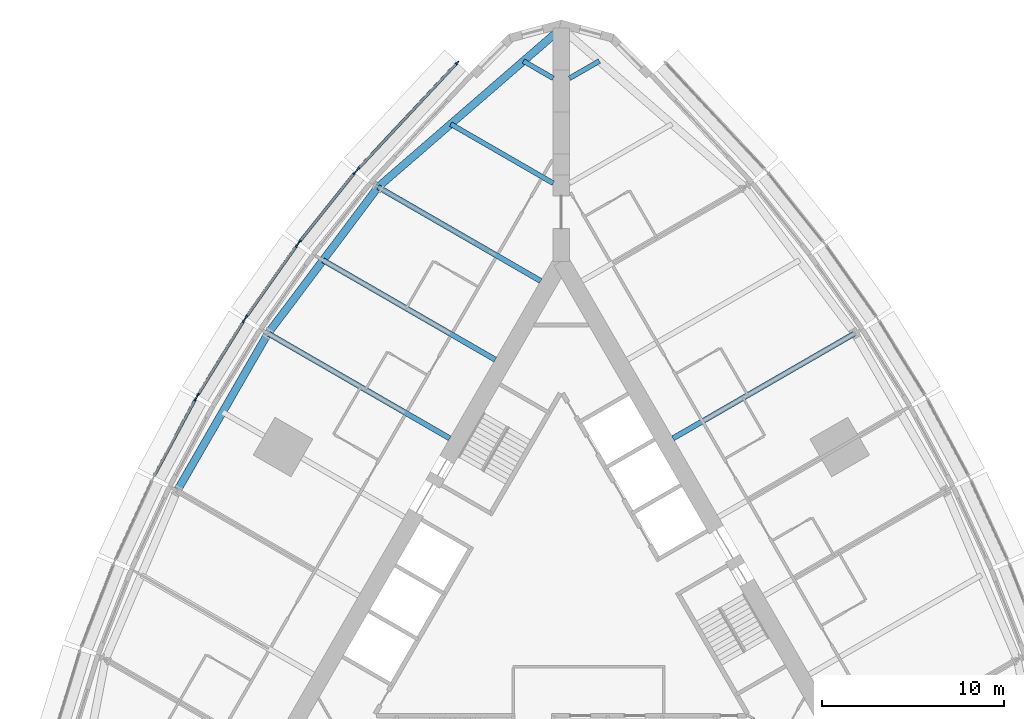
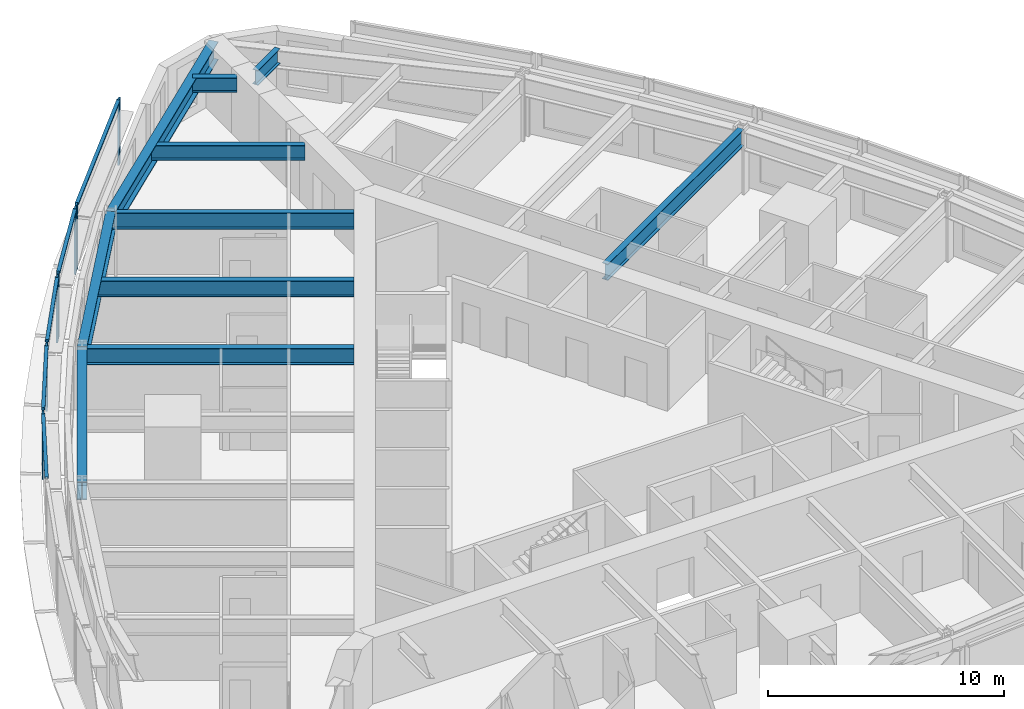
# One storey, part 4 of 14: 14 members, 10 beams, 5 elements without a shape of their own.
"""IFC4 building model written with IfcOpenShell, lengths in metres."""

from ifc_helpers import new_model, si_unit, direction, frame, origin, origin_2d, place, context, subcontext, project, spatial, rectangle, i_section, extrude, material, material_profile, profile_set, type_object, element, aggregate, save


model = new_model("IFC4")

# Units and contexts
model_context = context("Model", 3, precision=1e-05, world=origin(), true_north=direction((0.0, 1.0)))
body_context = subcontext(model_context, "Body", "Model", "MODEL_VIEW")
ifc_project = project(units=[si_unit("LENGTHUNIT", "METRE"), si_unit("AREAUNIT", "SQUARE_METRE"), si_unit("VOLUMEUNIT", "CUBIC_METRE"), si_unit("PLANEANGLEUNIT", "RADIAN"), si_unit("MASSUNIT", "GRAM", prefix="KILO")], contexts=[model_context])

# Site, building, storey
site_placement = place(None, origin())
site = spatial("IfcSite", under=ifc_project, at=site_placement, CompositionType="ELEMENT")
building_placement = place(site_placement, origin())
building = spatial("IfcBuilding", under=site, at=building_placement, Name="Trikona Tower", CompositionType="ELEMENT")
storey_placement = place(building_placement, frame((0.0, 0.0, 59.10009765625)))
storey = spatial("IfcBuildingStorey", under=building, at=storey_placement, Name="L14", CompositionType="ELEMENT", Elevation=59.10009765625)

# Curtain wall, members
ifc_material_1 = material(Name="Aluminium curtain wall system", Category="aluminium")
curtain_wall_type = type_object("IfcCurtainWallType", Name="Curtain wall DS1", PredefinedType="NOTDEFINED", material=ifc_material_1)
curtain_wall_1_placement = place(storey_placement, origin())
curtain_wall_1 = element("IfcCurtainWall", 1, at=curtain_wall_1_placement, inside=storey, type_object=curtain_wall_type, Name="Curtain wall DS1 L14", PredefinedType="NOTDEFINED")
ifc_material_2 = material(Name="Aluminium mullion, pale anodised", Category="aluminium")
ifc_material_profile_1 = material_profile(ifc_material_2, rectangle(XDim=0.080078125, YDim=0.219970703125, at=origin_2d()), Name="MUL-DS1")
ifc_profile_set_1 = profile_set([ifc_material_profile_1], Name="Aluminium mullion, pale anodised")
member_type_1 = type_object("IfcMemberType", Name="Mullion DS1 80x220", PredefinedType="MULLION", material=ifc_profile_set_1)
member_1_placement = place(storey_placement, frame((-5.72607421875, 29.98583984375, 0.0), z_axis=(0.0, 0.0, 1.0), x_axis=(0.731076639405, -0.682295351967, 0.0)))
member_1 = element("IfcMember", 2, at=member_1_placement, type_object=member_type_1, Name="CW-DS1 mullion 1", PredefinedType="MULLION", context=body_context, shape_type="SweptSolid", body=[
    extrude(rectangle(XDim=0.080078125, YDim=0.219970703125, at=origin_2d()), origin(), (0.0, 0.0, 1.0), 3.39990234375),
])
member_2_placement = place(storey_placement, frame((-11.192138671875, 24.129150390625, 0.0), z_axis=(0.0, 0.0, 1.0), x_axis=(0.731076639405, -0.682295351967, 0.0)))
member_2 = element("IfcMember", 3, at=member_2_placement, type_object=member_type_1, Name="CW-DS1 mullion 2", PredefinedType="MULLION", context=body_context, shape_type="SweptSolid", body=[
    extrude(rectangle(XDim=0.080078125, YDim=0.219970703125, at=origin_2d()), origin(), (0.0, 0.0, 1.0), 3.39990234375),
])

curtain_wall_2_placement = place(storey_placement, origin())
curtain_wall_2 = element("IfcCurtainWall", 4, at=curtain_wall_2_placement, inside=storey, type_object=curtain_wall_type, Name="Curtain wall DS1 L14", PredefinedType="NOTDEFINED")
member_3_placement = place(storey_placement, frame((-11.36767578125, 23.926025390625, 0.0), z_axis=(0.0, 0.0, 1.0), x_axis=(0.780937959679, -0.624608599951, 0.0)))
member_3 = element("IfcMember", 5, at=member_3_placement, type_object=member_type_1, Name="CW-DS1 mullion 1", PredefinedType="MULLION", context=body_context, shape_type="SweptSolid", body=[
    extrude(rectangle(XDim=0.080078125, YDim=0.219970703125, at=origin_2d()), origin(), (0.0, 0.0, 1.0), 3.39990234375),
])
member_4_placement = place(storey_placement, frame((-14.40185546875, 20.13232421875, 0.0), z_axis=(0.0, 0.0, 1.0), x_axis=(0.780937959679, -0.624608599951, 0.0)))
member_4 = element("IfcMember", 6, at=member_4_placement, type_object=member_type_1, Name="CW-DS1 mullion 2", PredefinedType="MULLION", context=body_context, shape_type="SweptSolid", body=[
    extrude(rectangle(XDim=0.080078125, YDim=0.219970703125, at=origin_2d()), origin(), (0.0, 0.0, 1.0), 3.39990234375),
])

curtain_wall_3_placement = place(storey_placement, origin())
curtain_wall_3 = element("IfcCurtainWall", 7, at=curtain_wall_3_placement, inside=storey, type_object=curtain_wall_type, Name="Curtain wall DS1 L14", PredefinedType="NOTDEFINED")
member_5_placement = place(storey_placement, frame((-14.554443359375, 19.929443359375, 0.0), z_axis=(0.0, 0.0, 1.0), x_axis=(0.816985393055, -0.576658362928, 0.0)))
member_5 = element("IfcMember", 8, at=member_5_placement, type_object=member_type_1, Name="CW-DS1 mullion 1", PredefinedType="MULLION", context=body_context, shape_type="SweptSolid", body=[
    extrude(rectangle(XDim=0.080078125, YDim=0.219970703125, at=origin_2d()), origin(), (0.0, 0.0, 1.0), 3.39990234375),
])
member_6_placement = place(storey_placement, frame((-17.33447265625, 15.990966796875, 0.0), z_axis=(0.0, 0.0, 1.0), x_axis=(0.816985393055, -0.576658362928, 0.0)))
member_6 = element("IfcMember", 9, at=member_6_placement, type_object=member_type_1, Name="CW-DS1 mullion 2", PredefinedType="MULLION", context=body_context, shape_type="SweptSolid", body=[
    extrude(rectangle(XDim=0.080078125, YDim=0.219970703125, at=origin_2d()), origin(), (0.0, 0.0, 1.0), 3.39990234375),
])

curtain_wall_4_placement = place(storey_placement, origin())
curtain_wall_4 = element("IfcCurtainWall", 10, at=curtain_wall_4_placement, inside=storey, type_object=curtain_wall_type, Name="Curtain wall DS1 L14", PredefinedType="NOTDEFINED")
member_7_placement = place(storey_placement, frame((-17.474853515625, 15.77880859375, 0.0), z_axis=(0.0, 0.0, 1.0), x_axis=(0.850410468941, -0.526119790842, 0.0)))
member_7 = element("IfcMember", 11, at=member_7_placement, type_object=member_type_1, Name="CW-DS1 mullion 1", PredefinedType="MULLION", context=body_context, shape_type="SweptSolid", body=[
    extrude(rectangle(XDim=0.080078125, YDim=0.219970703125, at=origin_2d()), origin(), (0.0, 0.0, 1.0), 3.39990234375),
])
member_8_placement = place(storey_placement, frame((-20.00146484375, 11.69482421875, 0.0), z_axis=(0.0, 0.0, 1.0), x_axis=(0.850410468941, -0.526119790842, 0.0)))
member_8 = element("IfcMember", 12, at=member_8_placement, type_object=member_type_1, Name="CW-DS1 mullion 2", PredefinedType="MULLION", context=body_context, shape_type="SweptSolid", body=[
    extrude(rectangle(XDim=0.080078125, YDim=0.219970703125, at=origin_2d()), origin(), (0.0, 0.0, 1.0), 3.39990234375),
])

# Curtain wall, member
curtain_wall_5_placement = place(storey_placement, origin())
curtain_wall_5 = element("IfcCurtainWall", 13, at=curtain_wall_5_placement, inside=storey, type_object=curtain_wall_type, Name="Curtain wall DS1 L14", PredefinedType="NOTDEFINED")
member_9_placement = place(storey_placement, frame((-20.128662109375, 11.474365234375, 0.0), z_axis=(0.0, 0.0, 1.0), x_axis=(0.880843080975, -0.473408350896, 0.0)))
member_9 = element("IfcMember", 14, at=member_9_placement, type_object=member_type_1, Name="CW-DS1 mullion 1", PredefinedType="MULLION", context=body_context, shape_type="SweptSolid", body=[
    extrude(rectangle(XDim=0.080078125, YDim=0.219970703125, at=origin_2d()), origin(), (0.0, 0.0, 1.0), 3.39990234375),
])

# Beams
ifc_material_3 = material(Name="Steel ASTM A992 Grade 50", Category="steel")
ifc_material_profile_2 = material_profile(ifc_material_3, i_section(OverallWidth=0.2666015625, OverallDepth=0.76953125, WebThickness=0.015625, FlangeThickness=0.025390625, at=origin_2d()), Name="W30X132")
ifc_profile_set_2 = profile_set([ifc_material_profile_2], Name="Steel ASTM A992 Grade 50")
beam_type_1 = type_object("IfcBeamType", Name="Steel beam W30x132 (wedge)", PredefinedType="BEAM", material=ifc_profile_set_2)
for number, where, z_axis, x_axis, name in (
    (15, (0.449951171875, 29.127197265625, 2.85009765625), (0.866009237431, 0.5000279999, 0.0), (-0.5000279999, 0.866009237431, 0.0), "Floor beam L15 F2 u25"),
    (16, (-0.449951171875, 29.127197265625, 2.85009765625), (-0.866009237431, 0.5000279999, 0.0), (-0.5000279999, -0.866009237431, 0.0), "Floor beam L15 F3 u-25"),
):
    element("IfcBeam", number, at=place(storey_placement, frame(where, z_axis=z_axis, x_axis=x_axis)), inside=storey, type_object=beam_type_1, Name=name, PredefinedType="BEAM", context=body_context, shape_type="SweptSolid", body=[
        extrude(i_section(OverallWidth=0.2666015625, OverallDepth=0.76953125, WebThickness=0.015625, FlangeThickness=0.025390625, at=origin_2d()), origin(), (0.0, 0.0, 1.0), 1.890625),
    ])
beam_1_placement = place(storey_placement, frame((-0.449951171875, 23.353759765625, 2.85009765625), z_axis=(-0.866022504693, 0.50000502134, 0.0), x_axis=(-0.50000502134, -0.866022504693, 0.0)))
element("IfcBeam", 17, at=beam_1_placement, inside=storey, type_object=beam_type_1, Name="Floor beam L15 F3 u-20", PredefinedType="BEAM", context=body_context, shape_type="SweptSolid", body=[
    extrude(i_section(OverallWidth=0.2666015625, OverallDepth=0.76953125, WebThickness=0.015625, FlangeThickness=0.025390625, at=origin_2d()), origin(), (0.0, 0.0, 1.0), 6.5068359375),
])
ifc_material_4 = material(Name="Steel ASTM A992 Grade 50", Category="steel")
ifc_material_profile_3 = material_profile(ifc_material_4, i_section(OverallWidth=0.2919921875, OverallDepth=0.845703125, WebThickness=0.015380859375, FlangeThickness=0.0244140625, at=origin_2d()), Name="W33X141")
ifc_profile_set_3 = profile_set([ifc_material_profile_3], Name="Steel ASTM A992 Grade 50")
beam_type_2 = type_object("IfcBeamType", Name="Steel beam W33x141 (radial typ)", PredefinedType="BEAM", material=ifc_profile_set_3)
beam_2_placement = place(storey_placement, frame((6.1396484375, 9.318359375, 2.81201171875), z_axis=(0.866029923217, 0.499992172032, 0.0), x_axis=(-0.499992172032, 0.866029923217, 0.0)))
element("IfcBeam", 18, at=beam_2_placement, inside=storey, type_object=beam_type_2, Name="Floor beam L15 F2 u5", PredefinedType="BEAM", context=body_context, shape_type="SweptSolid", body=[
    extrude(i_section(OverallWidth=0.2919921875, OverallDepth=0.845703125, WebThickness=0.015380859375, FlangeThickness=0.0244140625, at=origin_2d()), origin(), (0.0, 0.0, 1.0), 11.544189453125),
])
beam_3_placement = place(storey_placement, frame((-1.1396484375, 17.978515625, 2.81201171875), z_axis=(-0.866030471684, 0.499991222037, 0.0), x_axis=(-0.499991222037, -0.866030471684, 0.0)))
element("IfcBeam", 19, at=beam_3_placement, inside=storey, type_object=beam_type_2, Name="Floor beam L15 F3 u-15", PredefinedType="BEAM", context=body_context, shape_type="SweptSolid", body=[
    extrude(i_section(OverallWidth=0.2919921875, OverallDepth=0.845703125, WebThickness=0.015380859375, FlangeThickness=0.0244140625, at=origin_2d()), origin(), (0.0, 0.0, 1.0), 10.326904296875),
])
beam_4_placement = place(storey_placement, frame((-3.6396484375, 13.6484375, 2.81201171875), z_axis=(-0.866025348605, 0.500000095573, 0.0), x_axis=(-0.500000095573, -0.866025348605, 0.0)))
element("IfcBeam", 20, at=beam_4_placement, inside=storey, type_object=beam_type_2, Name="Floor beam L15 F3 u-10", PredefinedType="BEAM", context=body_context, shape_type="SweptSolid", body=[
    extrude(i_section(OverallWidth=0.2919921875, OverallDepth=0.845703125, WebThickness=0.015380859375, FlangeThickness=0.0244140625, at=origin_2d()), origin(), (0.0, 0.0, 1.0), 10.935546875),
])
beam_5_placement = place(storey_placement, frame((-6.1396484375, 9.318359375, 2.81201171875), z_axis=(-0.866029923217, 0.499992172032, 0.0), x_axis=(-0.499992172032, -0.866029923217, 0.0)))
element("IfcBeam", 21, at=beam_5_placement, inside=storey, type_object=beam_type_2, Name="Floor beam L15 F3 u-5", PredefinedType="BEAM", context=body_context, shape_type="SweptSolid", body=[
    extrude(i_section(OverallWidth=0.2919921875, OverallDepth=0.845703125, WebThickness=0.015380859375, FlangeThickness=0.0244140625, at=origin_2d()), origin(), (0.0, 0.0, 1.0), 11.544189453125),
])
ifc_material_5 = material(Name="Steel ASTM A992 Grade 50", Category="steel")
ifc_material_profile_4 = material_profile(ifc_material_5, i_section(OverallWidth=0.424072265625, OverallDepth=0.947509765625, WebThickness=0.02392578125, FlangeThickness=0.042724609375, at=origin_2d()), Name="W36X302")
ifc_profile_set_4 = profile_set([ifc_material_profile_4], Name="Steel ASTM A992 Grade 50")
beam_type_3 = type_object("IfcBeamType", Name="Steel beam W36x302 (spandrel)", PredefinedType="SPANDREL", material=ifc_profile_set_4)
beam_6_placement = place(storey_placement, frame((0.0, 31.881591796875, 2.76123046875), z_axis=(-0.755646822726, -0.654979296851, 0.0), x_axis=(0.654979296851, -0.755646822726, 0.0)))
element("IfcBeam", 22, at=beam_6_placement, inside=storey, type_object=beam_type_3, Name="Spandrel beam L15 F3-1", PredefinedType="SPANDREL", context=body_context, shape_type="SweptSolid", body=[
    extrude(i_section(OverallWidth=0.424072265625, OverallDepth=0.947509765625, WebThickness=0.02392578125, FlangeThickness=0.042724609375, at=origin_2d()), origin(), (0.0, 0.0, 1.0), 13.343505859375),
])
beam_7_placement = place(storey_placement, frame((-10.0830078125, 23.141845703125, 2.76123046875), z_axis=(-0.600988344191, -0.799257787042, 0.0), x_axis=(0.799257787042, -0.600988344191, 0.0)))
element("IfcBeam", 23, at=beam_7_placement, inside=storey, type_object=beam_type_3, Name="Spandrel beam L15 F3-2", PredefinedType="SPANDREL", context=body_context, shape_type="SweptSolid", body=[
    extrude(i_section(OverallWidth=0.424072265625, OverallDepth=0.947509765625, WebThickness=0.02392578125, FlangeThickness=0.042724609375, at=origin_2d()), origin(), (0.0, 0.0, 1.0), 10.07373046875),
])
beam_8_placement = place(storey_placement, frame((-16.13720703125, 15.09033203125, 2.76123046875), z_axis=(-0.500004234368, -0.866022959057, 0.0), x_axis=(0.866022959057, -0.500004234368, 0.0)))
element("IfcBeam", 24, at=beam_8_placement, inside=storey, type_object=beam_type_3, Name="Spandrel beam L15 F3-3", PredefinedType="SPANDREL", context=body_context, shape_type="SweptSolid", body=[
    extrude(i_section(OverallWidth=0.424072265625, OverallDepth=0.947509765625, WebThickness=0.02392578125, FlangeThickness=0.042724609375, at=origin_2d()), origin(), (0.0, 0.0, 1.0), 10.0),
])

# Member
ifc_material_6 = material(Name="Aluminium transom, pale anodised", Category="aluminium")
ifc_material_profile_5 = material_profile(ifc_material_6, rectangle(XDim=0.159912109375, YDim=0.080078125, at=origin_2d()), Name="TRN-DS1")
ifc_profile_set_5 = profile_set([ifc_material_profile_5], Name="Aluminium transom, pale anodised")
member_type_2 = type_object("IfcMemberType", Name="Transom DS1 80x160", PredefinedType="USERDEFINED", material=ifc_profile_set_5)
member_10_placement = place(storey_placement, frame((-5.75341796875, 29.95654296875, 3.35986328125), z_axis=(-0.682290830921, -0.731080858758, 0.0), x_axis=(0.731080858758, -0.682290830921, 0.0)))
member_10 = element("IfcMember", 25, at=member_10_placement, type_object=member_type_2, Name="CW-DS1 transom 1.1", ObjectType="TRANSOM", PredefinedType="USERDEFINED", context=body_context, shape_type="SweptSolid", body=[
    extrude(rectangle(XDim=0.159912109375, YDim=0.080078125, at=origin_2d()), origin(), (0.0, 0.0, 1.0), 7.93115234375),
])

aggregate(curtain_wall_1, [member_1, member_2, member_10])

member_11_placement = place(storey_placement, frame((-11.392822265625, 23.894775390625, 3.35986328125), z_axis=(-0.624589103832, -0.780953552636, 0.0), x_axis=(0.780953552636, -0.624589103832, 0.0)))
member_11 = element("IfcMember", 26, at=member_11_placement, type_object=member_type_2, Name="CW-DS1 transom 1.1", ObjectType="TRANSOM", PredefinedType="USERDEFINED", context=body_context, shape_type="SweptSolid", body=[
    extrude(rectangle(XDim=0.159912109375, YDim=0.080078125, at=origin_2d()), origin(), (0.0, 0.0, 1.0), 4.77783203125),
])

aggregate(curtain_wall_2, [member_3, member_4, member_11])

member_12_placement = place(storey_placement, frame((-14.57763671875, 19.896728515625, 3.35986328125), z_axis=(-0.57664478015, -0.816994980111, 0.0), x_axis=(0.816994980111, -0.57664478015, 0.0)))
member_12 = element("IfcMember", 27, at=member_12_placement, type_object=member_type_2, Name="CW-DS1 transom 1.1", ObjectType="TRANSOM", PredefinedType="USERDEFINED", context=body_context, shape_type="SweptSolid", body=[
    extrude(rectangle(XDim=0.159912109375, YDim=0.080078125, at=origin_2d()), origin(), (0.0, 0.0, 1.0), 4.740478515625),
])

aggregate(curtain_wall_3, [member_5, member_6, member_12])

member_13_placement = place(storey_placement, frame((-17.495849609375, 15.744873046875, 3.35986328125), z_axis=(-0.526080502257, -0.850434774186, 0.0), x_axis=(0.850434774186, -0.526080502257, 0.0)))
member_13 = element("IfcMember", 28, at=member_13_placement, type_object=member_type_2, Name="CW-DS1 transom 1.1", ObjectType="TRANSOM", PredefinedType="USERDEFINED", context=body_context, shape_type="SweptSolid", body=[
    extrude(rectangle(XDim=0.159912109375, YDim=0.080078125, at=origin_2d()), origin(), (0.0, 0.0, 1.0), 4.722412109375),
])

aggregate(curtain_wall_4, [member_7, member_8, member_13])

member_14_placement = place(storey_placement, frame((-20.147705078125, 11.43896484375, 3.35986328125), z_axis=(-0.473427569755, -0.880832751546, 0.0), x_axis=(0.880832751546, -0.473427569755, 0.0)))
member_14 = element("IfcMember", 29, at=member_14_placement, type_object=member_type_2, Name="CW-DS1 transom 1.1", ObjectType="TRANSOM", PredefinedType="USERDEFINED", context=body_context, shape_type="SweptSolid", body=[
    extrude(rectangle(XDim=0.159912109375, YDim=0.080078125, at=origin_2d()), origin(), (0.0, 0.0, 1.0), 4.72216796875),
])

aggregate(curtain_wall_5, [member_9, member_14])

save(model, "model.ifc")
